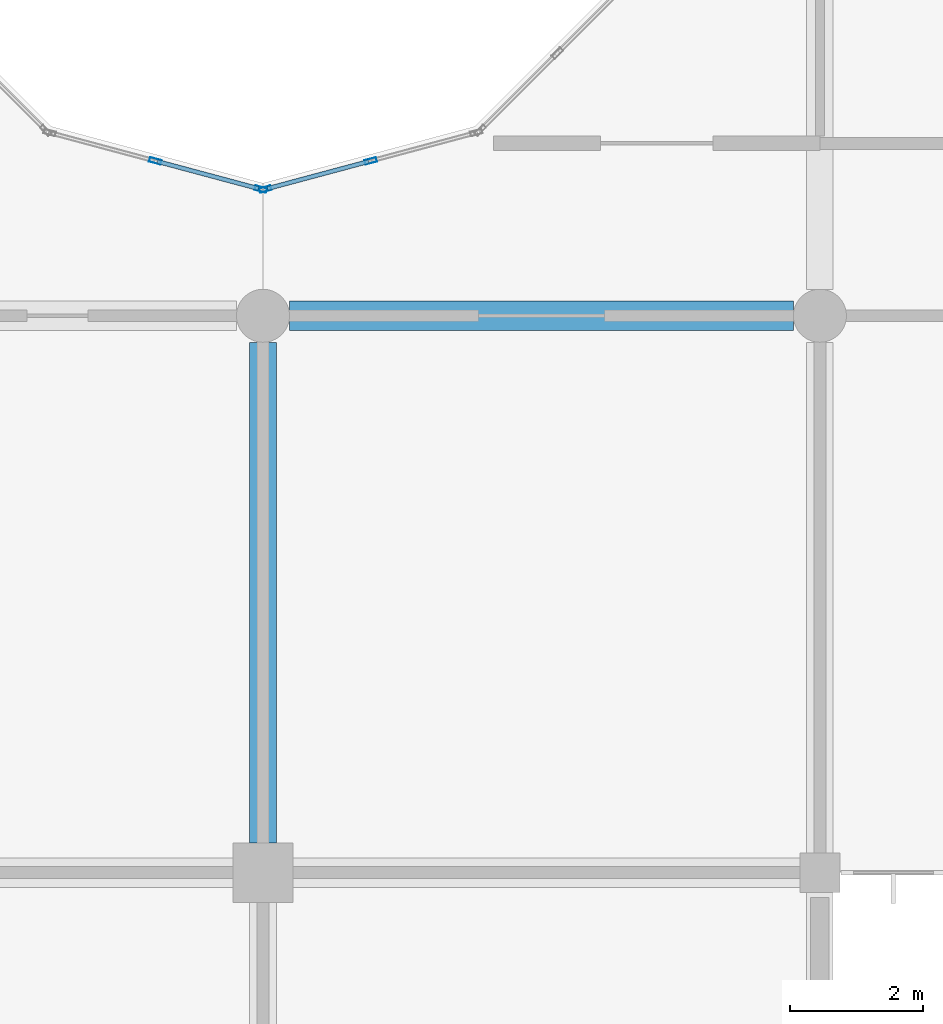
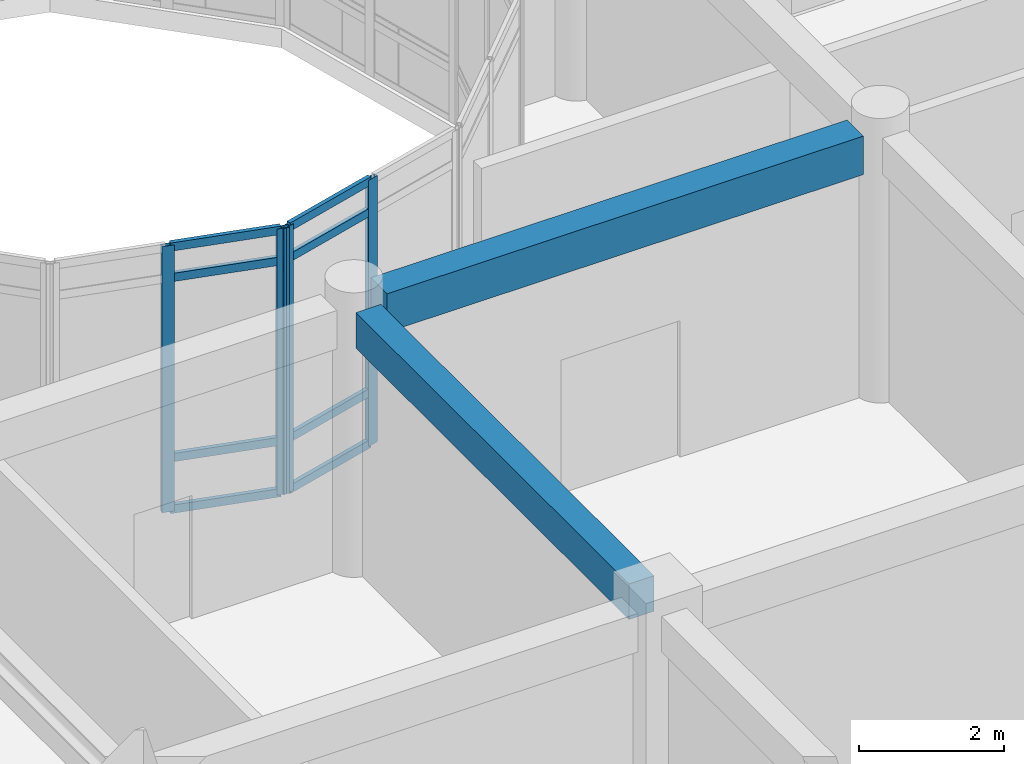
# One storey, part 20 of 138: 12 members, 2 beams, 2 elements without a shape of their own.
"""IFC4 building model written with IfcOpenShell, lengths in metres."""

from ifc_helpers import new_model, si_unit, direction, frame, origin, origin_2d, place, context, subcontext, project, spatial, rectangle, hollow_rectangle, extrude, material, layer, layer_set, material_profile, profile_set, type_object, element, aggregate, save


model = new_model("IFC4")

# Units and contexts
model_context = context("Model", 3, precision=1e-05, world=origin(), true_north=direction((0.0, 1.0)))
body_context = subcontext(model_context, "Body", "Model", "MODEL_VIEW")
ifc_project = project(units=[si_unit("LENGTHUNIT", "METRE"), si_unit("AREAUNIT", "SQUARE_METRE"), si_unit("VOLUMEUNIT", "CUBIC_METRE"), si_unit("PLANEANGLEUNIT", "RADIAN"), si_unit("MASSUNIT", "GRAM", prefix="KILO")], contexts=[model_context])

# Site, building, storey
site_placement = place(None, origin())
site = spatial("IfcSite", under=ifc_project, at=site_placement, CompositionType="ELEMENT")
building_placement = place(site_placement, origin())
building = spatial("IfcBuilding", under=site, at=building_placement, Name="Bramfleet General Hospital", CompositionType="ELEMENT")
storey_placement = place(building_placement, origin())
storey = spatial("IfcBuildingStorey", under=building, at=storey_placement, Name="L00", CompositionType="ELEMENT", Elevation=0.0)

# Beams
ifc_material_1 = material(Name="Concrete C35/45", Category="concrete")
ifc_material_profile_1 = material_profile(ifc_material_1, rectangle(XDim=0.39990234375, YDim=0.60009765625, at=origin_2d()), Name="RC BM 600x400")
ifc_profile_set_1 = profile_set([ifc_material_profile_1], Name="Concrete C35/45")
beam_type_1 = type_object("IfcBeamType", Name="BM-RC600", PredefinedType="BEAM", material=ifc_profile_set_1)
beam_1_placement = place(storey_placement, frame((117.60009765625, 50.85009765625, 4.199951171875), z_axis=(0.0, 1.0, 0.0), x_axis=(-1.0, 0.0, 0.0)))
element("IfcBeam", 1, at=beam_1_placement, inside=storey, type_object=beam_type_1, Name="L00 Grid Beam Y 14-06", PredefinedType="BEAM", context=body_context, shape_type="SweptSolid", body=[
    extrude(rectangle(XDim=0.39990234375, YDim=0.60009765625, at=origin_2d()), origin(), (0.0, 0.0, 1.0), 7.5498046875),
])
ifc_material_profile_2 = material_profile(ifc_material_1, rectangle(XDim=0.449951171875, YDim=0.64990234375, at=origin_2d()), Name="RC BM 650x450")
ifc_profile_set_2 = profile_set([ifc_material_profile_2], Name="Concrete C35/45")
beam_type_2 = type_object("IfcBeamType", Name="BM-RC650", PredefinedType="BEAM", material=ifc_profile_set_2)
beam_2_placement = place(storey_placement, frame((118.0, 58.800048828125, 4.175048828125), z_axis=(1.0, 0.0, 0.0), x_axis=(0.0, 1.0, 0.0)))
element("IfcBeam", 2, at=beam_2_placement, inside=storey, type_object=beam_type_2, Name="L00 Grid Beam X 14-07", PredefinedType="BEAM", context=body_context, shape_type="SweptSolid", body=[
    extrude(rectangle(XDim=0.449951171875, YDim=0.64990234375, at=origin_2d()), origin(), (0.0, 0.0, 1.0), 7.60009765625),
])

# Curtain wall, members
ifc_material_2 = material(Name="Anodised aluminium and low-E triple glazing", Category="aluminium")
ifc_layer_1 = layer(ifc_material_2, 0.179931640625, Name="CWT-CW-15")
ifc_layer_set_1 = layer_set([ifc_layer_1], Name="Anodised aluminium and low-E triple glazing")
curtain_wall_type_1 = type_object("IfcCurtainWallType", Name="CWT-CW-15", PredefinedType="USERDEFINED", material=ifc_layer_set_1)
curtain_wall_1_placement = place(storey_placement, origin())
curtain_wall_1 = element("IfcCurtainWall", 3, at=curtain_wall_1_placement, inside=storey, type_object=curtain_wall_type_1, Name="L00 East Laboratory Light Court Curtain Wall 3.1", ObjectType="Stick curtain wall", PredefinedType="USERDEFINED")
ifc_material_3 = material(Name="Anodised aluminium EN AW-6060", Category="aluminium")
ifc_material_profile_3 = material_profile(ifc_material_3, hollow_rectangle(XDim=0.070068359375, YDim=0.179931640625, WallThickness=0.00390625, at=origin_2d()), Name="ALU 180x70x4.0")
ifc_profile_set_3 = profile_set([ifc_material_profile_3], Name="Anodised aluminium EN AW-6060")
member_type_1 = type_object("IfcMemberType", Name="CWM-ALU180", PredefinedType="MULLION", material=ifc_profile_set_3)
member_1_placement = place(storey_placement, frame((115.97509765625, 61.135498046875, 0.0), z_axis=(0.0, 0.0, 1.0), x_axis=(0.258864833085, 0.965913556273, 0.0)))
member_1 = element("IfcMember", 4, at=member_1_placement, type_object=member_type_1, Name="CW-15 mullion 2", PredefinedType="MULLION", context=body_context, shape_type="SweptSolid", body=[
    extrude(hollow_rectangle(XDim=0.070068359375, YDim=0.179931640625, WallThickness=0.00390625, at=origin_2d()), origin(), (0.0, 0.0, 1.0), 4.489990234375),
])
member_2_placement = place(storey_placement, frame((117.566162109375, 60.708984375, 0.0), z_axis=(0.0, 0.0, 1.0), x_axis=(0.258864833085, 0.965913556273, 0.0)))
member_2 = element("IfcMember", 5, at=member_2_placement, type_object=member_type_1, Name="CW-15 mullion 3", PredefinedType="MULLION", context=body_context, shape_type="SweptSolid", body=[
    extrude(hollow_rectangle(XDim=0.070068359375, YDim=0.179931640625, WallThickness=0.00390625, at=origin_2d()), origin(), (0.0, 0.0, 1.0), 4.489990234375),
])

ifc_layer_2 = layer(ifc_material_2, 0.179931640625, Name="CWT-CW-16")
ifc_layer_set_2 = layer_set([ifc_layer_2], Name="Anodised aluminium and low-E triple glazing")
curtain_wall_type_2 = type_object("IfcCurtainWallType", Name="CWT-CW-16", PredefinedType="USERDEFINED", material=ifc_layer_set_2)
curtain_wall_2_placement = place(storey_placement, origin())
curtain_wall_2 = element("IfcCurtainWall", 6, at=curtain_wall_2_placement, inside=storey, type_object=curtain_wall_type_2, Name="L00 East Laboratory Light Court Curtain Wall 4.1", ObjectType="Stick curtain wall", PredefinedType="USERDEFINED")
member_3_placement = place(storey_placement, frame((117.6337890625, 60.708984375, 0.0), z_axis=(0.0, 0.0, 1.0), x_axis=(-0.258864833085, 0.965913556273, 0.0)))
member_3 = element("IfcMember", 7, at=member_3_placement, type_object=member_type_1, Name="CW-16 mullion 1", PredefinedType="MULLION", context=body_context, shape_type="SweptSolid", body=[
    extrude(hollow_rectangle(XDim=0.070068359375, YDim=0.179931640625, WallThickness=0.00390625, at=origin_2d()), origin(), (0.0, 0.0, 1.0), 4.489990234375),
])
member_4_placement = place(storey_placement, frame((119.22509765625, 61.135498046875, 0.0), z_axis=(0.0, 0.0, 1.0), x_axis=(-0.258864833085, 0.965913556273, 0.0)))
member_4 = element("IfcMember", 8, at=member_4_placement, type_object=member_type_1, Name="CW-16 mullion 2", PredefinedType="MULLION", context=body_context, shape_type="SweptSolid", body=[
    extrude(hollow_rectangle(XDim=0.070068359375, YDim=0.179931640625, WallThickness=0.00390625, at=origin_2d()), origin(), (0.0, 0.0, 1.0), 4.489990234375),
])

# Member
ifc_material_profile_4 = material_profile(ifc_material_3, hollow_rectangle(XDim=0.06494140625, YDim=0.139892578125, WallThickness=0.00390625, at=origin_2d()), Name="ALU 140x65x4.0")
ifc_profile_set_4 = profile_set([ifc_material_profile_4], Name="Anodised aluminium EN AW-6060")
member_type_2 = type_object("IfcMemberType", Name="CWT-ALU140", PredefinedType="USERDEFINED", material=ifc_profile_set_4)
member_5_placement = place(storey_placement, frame((116.0087890625, 61.12646484375, 0.032470703125), z_axis=(0.965897610877, -0.258924323505, 0.0), x_axis=(0.258924323505, 0.965897610877, 0.0)))
member_5 = element("IfcMember", 9, at=member_5_placement, type_object=member_type_2, Name="CW-15 transom 2.1", ObjectType="TRANSOM", PredefinedType="USERDEFINED", context=body_context, shape_type="SweptSolid", body=[
    extrude(hollow_rectangle(XDim=0.06494140625, YDim=0.139892578125, WallThickness=0.00390625, at=origin_2d()), origin(), (0.0, 0.0, 1.0), 1.577392578125),
])

member_6_placement = place(storey_placement, frame((116.0087890625, 61.12646484375, 0.89990234375), z_axis=(0.965897610877, -0.258924323505, 0.0), x_axis=(0.258924323505, 0.965897610877, 0.0)))
member_6 = element("IfcMember", 10, at=member_6_placement, type_object=member_type_2, Name="CW-15 transom 2.2", ObjectType="TRANSOM", PredefinedType="USERDEFINED", context=body_context, shape_type="SweptSolid", body=[
    extrude(hollow_rectangle(XDim=0.06494140625, YDim=0.139892578125, WallThickness=0.00390625, at=origin_2d()), origin(), (0.0, 0.0, 1.0), 1.577392578125),
])

member_7_placement = place(storey_placement, frame((116.0087890625, 61.12646484375, 3.93994140625), z_axis=(0.965897610877, -0.258924323505, 0.0), x_axis=(0.258924323505, 0.965897610877, 0.0)))
member_7 = element("IfcMember", 11, at=member_7_placement, type_object=member_type_2, Name="CW-15 transom 2.3", ObjectType="TRANSOM", PredefinedType="USERDEFINED", context=body_context, shape_type="SweptSolid", body=[
    extrude(hollow_rectangle(XDim=0.06494140625, YDim=0.139892578125, WallThickness=0.00390625, at=origin_2d()), origin(), (0.0, 0.0, 1.0), 1.577392578125),
])

member_8_placement = place(storey_placement, frame((116.0087890625, 61.12646484375, 4.45751953125), z_axis=(0.965897610877, -0.258924323505, 0.0), x_axis=(0.258924323505, 0.965897610877, 0.0)))
member_8 = element("IfcMember", 12, at=member_8_placement, type_object=member_type_2, Name="CW-15 transom 2.4", ObjectType="TRANSOM", PredefinedType="USERDEFINED", context=body_context, shape_type="SweptSolid", body=[
    extrude(hollow_rectangle(XDim=0.06494140625, YDim=0.139892578125, WallThickness=0.00390625, at=origin_2d()), origin(), (0.0, 0.0, 1.0), 1.577392578125),
])

aggregate(curtain_wall_1, [member_1, member_2, member_5, member_6, member_7, member_8])

member_9_placement = place(storey_placement, frame((117.667724609375, 60.718017578125, 0.032470703125), z_axis=(0.965887232725, 0.258963035312, 0.0), x_axis=(-0.258963035312, 0.965887232725, 0.0)))
member_9 = element("IfcMember", 13, at=member_9_placement, type_object=member_type_2, Name="CW-16 transom 1.1", ObjectType="TRANSOM", PredefinedType="USERDEFINED", context=body_context, shape_type="SweptSolid", body=[
    extrude(hollow_rectangle(XDim=0.06494140625, YDim=0.139892578125, WallThickness=0.00390625, at=origin_2d()), origin(), (0.0, 0.0, 1.0), 1.5771484375),
])

member_10_placement = place(storey_placement, frame((117.667724609375, 60.718017578125, 0.89990234375), z_axis=(0.965887232725, 0.258963035312, 0.0), x_axis=(-0.258963035312, 0.965887232725, 0.0)))
member_10 = element("IfcMember", 14, at=member_10_placement, type_object=member_type_2, Name="CW-16 transom 1.2", ObjectType="TRANSOM", PredefinedType="USERDEFINED", context=body_context, shape_type="SweptSolid", body=[
    extrude(hollow_rectangle(XDim=0.06494140625, YDim=0.139892578125, WallThickness=0.00390625, at=origin_2d()), origin(), (0.0, 0.0, 1.0), 1.5771484375),
])

member_11_placement = place(storey_placement, frame((117.667724609375, 60.718017578125, 3.93994140625), z_axis=(0.965887232725, 0.258963035312, 0.0), x_axis=(-0.258963035312, 0.965887232725, 0.0)))
member_11 = element("IfcMember", 15, at=member_11_placement, type_object=member_type_2, Name="CW-16 transom 1.3", ObjectType="TRANSOM", PredefinedType="USERDEFINED", context=body_context, shape_type="SweptSolid", body=[
    extrude(hollow_rectangle(XDim=0.06494140625, YDim=0.139892578125, WallThickness=0.00390625, at=origin_2d()), origin(), (0.0, 0.0, 1.0), 1.5771484375),
])

member_12_placement = place(storey_placement, frame((117.667724609375, 60.718017578125, 4.45751953125), z_axis=(0.965887232725, 0.258963035312, 0.0), x_axis=(-0.258963035312, 0.965887232725, 0.0)))
member_12 = element("IfcMember", 16, at=member_12_placement, type_object=member_type_2, Name="CW-16 transom 1.4", ObjectType="TRANSOM", PredefinedType="USERDEFINED", context=body_context, shape_type="SweptSolid", body=[
    extrude(hollow_rectangle(XDim=0.06494140625, YDim=0.139892578125, WallThickness=0.00390625, at=origin_2d()), origin(), (0.0, 0.0, 1.0), 1.5771484375),
])

aggregate(curtain_wall_2, [member_3, member_4, member_9, member_10, member_11, member_12])

save(model, "model.ifc")
